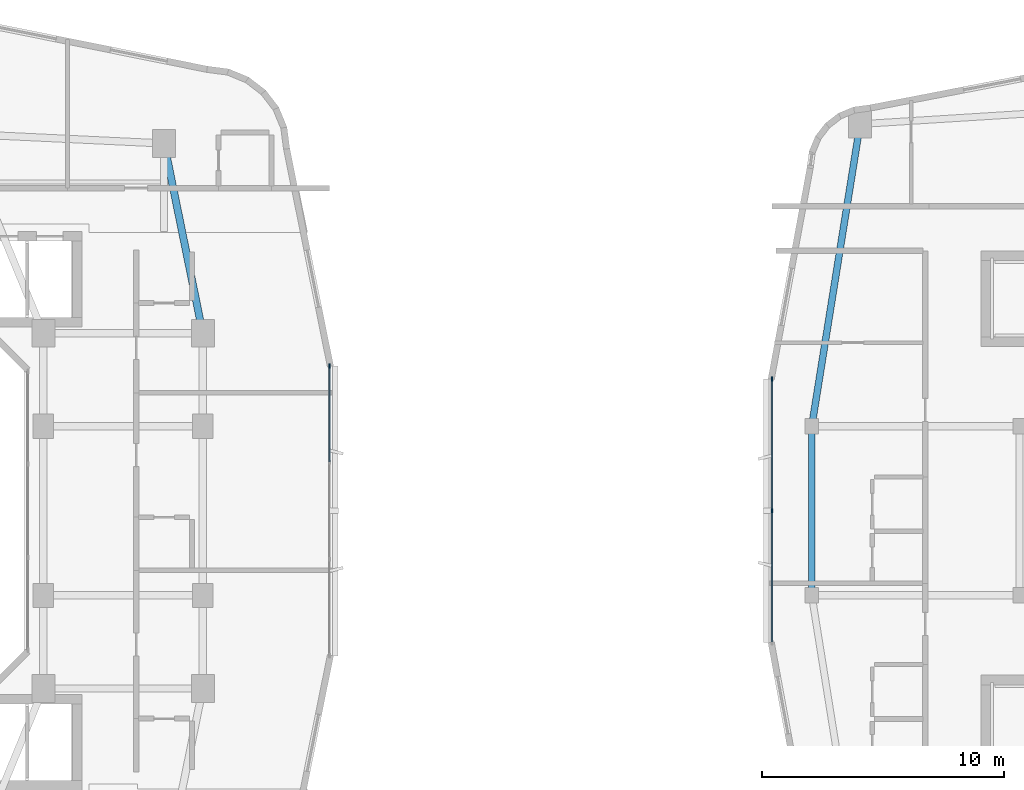
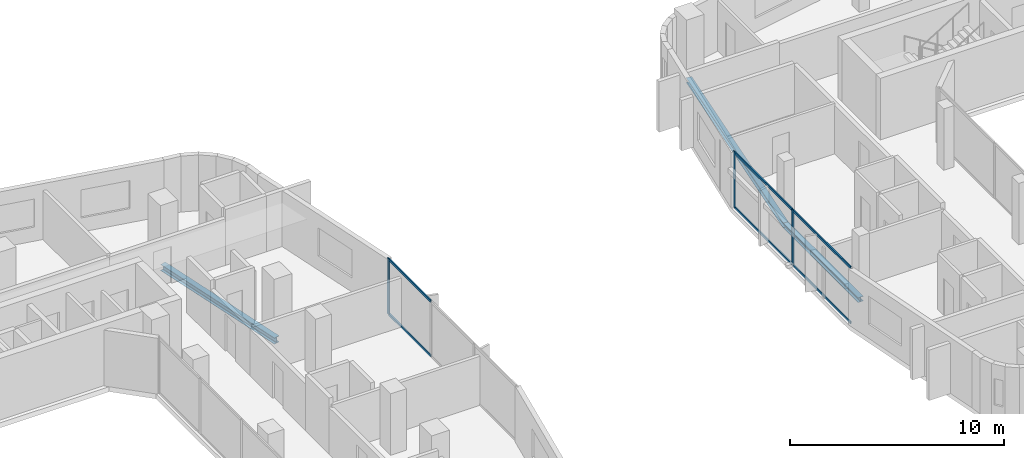
# One storey, part 6 of 26: 9 members, 3 beams, 2 elements without a shape of their own.
"""IFC4 building model written with IfcOpenShell, lengths in metres."""

from ifc_helpers import new_model, si_unit, derived_unit, direction, frame, origin, origin_2d, place, context, subcontext, project, spatial, rectangle, i_section, extrude, material, layer, layer_set, material_profile, profile_set, type_object, element, aggregate, save


model = new_model("IFC4")

# Units and contexts
model_context = context("Model", 3, precision=1e-05, world=origin(), true_north=direction((0.0, 1.0)))
body_context = subcontext(model_context, "Body", "Model", "MODEL_VIEW")
ifc_project = project(units=[si_unit("LENGTHUNIT", "METRE"), si_unit("AREAUNIT", "SQUARE_METRE"), si_unit("VOLUMEUNIT", "CUBIC_METRE"), si_unit("PLANEANGLEUNIT", "RADIAN"), si_unit("MASSUNIT", "GRAM", prefix="KILO"), derived_unit("THERMALTRANSMITTANCEUNIT", [(si_unit("POWERUNIT", "WATT"), 1), (si_unit("LENGTHUNIT", "METRE"), -2), (si_unit("THERMODYNAMICTEMPERATUREUNIT", "KELVIN"), -1)])], contexts=[model_context])

# Site, building, storey
site_placement = place(None, origin())
site = spatial("IfcSite", under=ifc_project, at=site_placement, CompositionType="ELEMENT")
building_placement = place(site_placement, origin())
building = spatial("IfcBuilding", under=site, at=building_placement, Name="Kivonza Crest Hotel", CompositionType="ELEMENT")
storey_placement = place(building_placement, frame((0.0, 0.0, 116.0)))
storey = spatial("IfcBuildingStorey", under=building, at=storey_placement, Name="L31", CompositionType="ELEMENT", Elevation=116.0)

# Beams
ifc_material_1 = material(Name="Steel S355", Category="steel")
ifc_material_profile_1 = material_profile(ifc_material_1, i_section(OverallWidth=0.280029296875, OverallDepth=0.280029296875, WebThickness=0.010498046875, FlangeThickness=0.01806640625, FilletRadius=0.02392578125, at=origin_2d()), Name="HEB 280")
ifc_profile_set_1 = profile_set([ifc_material_profile_1], Name="Steel S355")
beam_type_1 = type_object("IfcBeamType", Name="BM-HEB280", PredefinedType="SPANDREL", material=ifc_profile_set_1)
beam_1_placement = place(storey_placement, frame((63.0, 41.0, -0.389892578125), z_axis=(-0.157990501107, -0.987440631917, 0.0), x_axis=(0.987440631917, -0.157990501107, 0.0)))
element("IfcBeam", 1, at=beam_1_placement, inside=storey, type_object=beam_type_1, Name="Companion Tower T2 L31 perimeter spandrel NW-W2", PredefinedType="SPANDREL", context=body_context, shape_type="SweptSolid", body=[
    extrude(i_section(OverallWidth=0.280029296875, OverallDepth=0.280029296875, WebThickness=0.010498046875, FlangeThickness=0.01806640625, FilletRadius=0.02392578125, at=origin_2d()), origin(), (0.0, 0.0, 1.0), 12.658935546875),
])
beam_2_placement = place(storey_placement, frame((61.0, 28.5, -0.389892578125), z_axis=(0.0, -1.0, 0.0), x_axis=(1.0, 0.0, 0.0)))
element("IfcBeam", 2, at=beam_2_placement, inside=storey, type_object=beam_type_1, Name="Companion Tower T2 L31 perimeter spandrel W2-W1", PredefinedType="SPANDREL", context=body_context, shape_type="SweptSolid", body=[
    extrude(i_section(OverallWidth=0.280029296875, OverallDepth=0.280029296875, WebThickness=0.010498046875, FlangeThickness=0.01806640625, FilletRadius=0.02392578125, at=origin_2d()), origin(), (0.0, 0.0, 1.0), 7.0),
])
ifc_material_profile_2 = material_profile(ifc_material_1, i_section(OverallWidth=0.300048828125, OverallDepth=0.360107421875, WebThickness=0.012451171875, FlangeThickness=0.0224609375, FilletRadius=0.027099609375, at=origin_2d()), Name="HEB 360")
ifc_profile_set_2 = profile_set([ifc_material_profile_2], Name="Steel S355")
beam_type_2 = type_object("IfcBeamType", Name="BM-HEB360", PredefinedType="SPANDREL", material=ifc_profile_set_2)
beam_3_placement = place(storey_placement, frame((35.800048828125, 32.35009765625, -0.4599609375), z_axis=(-0.199730733965, 0.979850822273, 0.0), x_axis=(-0.979850822273, -0.199730733965, 0.0)))
element("IfcBeam", 3, at=beam_3_placement, inside=storey, type_object=beam_type_2, Name="Tower T1 L31 perimeter spandrel PNE-NE", PredefinedType="SPANDREL", context=body_context, shape_type="SweptSolid", body=[
    extrude(i_section(OverallWidth=0.300048828125, OverallDepth=0.360107421875, WebThickness=0.012451171875, FlangeThickness=0.0224609375, FilletRadius=0.027099609375, at=origin_2d()), origin(), (0.0, 0.0, 1.0), 8.01123046875),
])

# Curtain wall, member
ifc_material_2 = material(Name="Anodised bronze aluminium and low-E double glazing", Category="aluminium")
ifc_layer_1 = layer(ifc_material_2, 0.179931640625)
ifc_layer_set_1 = layer_set([ifc_layer_1], Name="Anodised bronze aluminium and low-E double glazing")
curtain_wall_type_1 = type_object("IfcCurtainWallType", Name="CW-SYS-2", PredefinedType="NOTDEFINED", material=ifc_layer_set_1)
curtain_wall_1_placement = place(storey_placement, origin())
curtain_wall_1 = element("IfcCurtainWall", 4, at=curtain_wall_1_placement, inside=storey, type_object=curtain_wall_type_1, Name="L31 unitised curtain wall CW-T1-L31-17", PredefinedType="NOTDEFINED")
ifc_material_3 = material(Name="Anodised bronze aluminium", Category="aluminium")
ifc_material_profile_3 = material_profile(ifc_material_3, rectangle(XDim=0.06494140625, YDim=0.179931640625, at=origin_2d()), Name="CW-M 65x180")
ifc_profile_set_3 = profile_set([ifc_material_profile_3], Name="Anodised bronze aluminium")
member_type_1 = type_object("IfcMemberType", Name="CW-MUL-65x180", PredefinedType="MULLION", material=ifc_profile_set_3)
member_1_placement = place(storey_placement, frame((41.0400390625, 30.987548828125, 0.0), z_axis=(0.0, 0.0, 1.0), x_axis=(-1.0, 0.0, 0.0)))
member_1 = element("IfcMember", 5, at=member_1_placement, type_object=member_type_1, Name="CW-2 mullion 4", PredefinedType="MULLION", context=body_context, shape_type="SweptSolid", body=[
    extrude(rectangle(XDim=0.06494140625, YDim=0.179931640625, at=origin_2d()), origin(), (0.0, 0.0, 1.0), 3.179931640625),
])

# Curtain wall, members
ifc_layer_2 = layer(ifc_material_2, 0.179931640625)
ifc_layer_set_2 = layer_set([ifc_layer_2], Name="Anodised bronze aluminium and low-E double glazing")
curtain_wall_type_2 = type_object("IfcCurtainWallType", Name="CW-SYS-4", PredefinedType="NOTDEFINED", material=ifc_layer_set_2)
curtain_wall_2_placement = place(storey_placement, origin())
curtain_wall_2 = element("IfcCurtainWall", 6, at=curtain_wall_2_placement, inside=storey, type_object=curtain_wall_type_2, Name="L31 unitised curtain wall CW-T2-L31-35", PredefinedType="NOTDEFINED")
member_2_placement = place(storey_placement, frame((59.360107421875, 30.447509765625, 0.0), z_axis=(0.0, 0.0, 1.0), x_axis=(1.0, 0.0, 0.0)))
member_2 = element("IfcMember", 7, at=member_2_placement, type_object=member_type_1, Name="CW-4 mullion 1", PredefinedType="MULLION", context=body_context, shape_type="SweptSolid", body=[
    extrude(rectangle(XDim=0.06494140625, YDim=0.179931640625, at=origin_2d()), origin(), (0.0, 0.0, 1.0), 3.179931640625),
])
member_3_placement = place(storey_placement, frame((59.360107421875, 25.0, 0.0), z_axis=(0.0, 0.0, 1.0), x_axis=(1.0, 0.0, 0.0)))
member_3 = element("IfcMember", 8, at=member_3_placement, type_object=member_type_1, Name="CW-4 mullion 2", PredefinedType="MULLION", context=body_context, shape_type="SweptSolid", body=[
    extrude(rectangle(XDim=0.06494140625, YDim=0.179931640625, at=origin_2d()), origin(), (0.0, 0.0, 1.0), 3.179931640625),
])

# Member
ifc_material_profile_4 = material_profile(ifc_material_3, rectangle(XDim=0.06494140625, YDim=0.139892578125, at=origin_2d()), Name="CW-T 65x140")
ifc_profile_set_4 = profile_set([ifc_material_profile_4], Name="Anodised bronze aluminium")
member_type_2 = type_object("IfcMemberType", Name="CW-TRN-65x140", PredefinedType="USERDEFINED", material=ifc_profile_set_4)
member_4_placement = place(storey_placement, frame((41.0400390625, 27.0390625, 0.032470703125), z_axis=(0.0, 1.0, 0.0), x_axis=(-1.0, 0.0, 0.0)))
member_4 = element("IfcMember", 9, at=member_4_placement, type_object=member_type_2, Name="CW-2 transom 3.1", ObjectType="TRANSOM", PredefinedType="USERDEFINED", context=body_context, shape_type="SweptSolid", body=[
    extrude(rectangle(XDim=0.06494140625, YDim=0.139892578125, at=origin_2d()), origin(), (0.0, 0.0, 1.0), 3.916015625),
])

member_5_placement = place(storey_placement, frame((41.0400390625, 27.0390625, 3.1474609375), z_axis=(0.0, 1.0, 0.0), x_axis=(-1.0, 0.0, 0.0)))
member_5 = element("IfcMember", 10, at=member_5_placement, type_object=member_type_2, Name="CW-2 transom 3.2", ObjectType="TRANSOM", PredefinedType="USERDEFINED", context=body_context, shape_type="SweptSolid", body=[
    extrude(rectangle(XDim=0.06494140625, YDim=0.139892578125, at=origin_2d()), origin(), (0.0, 0.0, 1.0), 3.916015625),
])

aggregate(curtain_wall_1, [member_1, member_4, member_5])

member_6_placement = place(storey_placement, frame((59.360107421875, 30.4150390625, 0.032470703125), z_axis=(0.0, -1.0, 0.0), x_axis=(1.0, 0.0, 0.0)))
member_6 = element("IfcMember", 11, at=member_6_placement, type_object=member_type_2, Name="CW-4 transom 1.1", ObjectType="TRANSOM", PredefinedType="USERDEFINED", context=body_context, shape_type="SweptSolid", body=[
    extrude(rectangle(XDim=0.06494140625, YDim=0.139892578125, at=origin_2d()), origin(), (0.0, 0.0, 1.0), 5.382568359375),
])

member_7_placement = place(storey_placement, frame((59.360107421875, 30.4150390625, 3.1474609375), z_axis=(0.0, -1.0, 0.0), x_axis=(1.0, 0.0, 0.0)))
member_7 = element("IfcMember", 12, at=member_7_placement, type_object=member_type_2, Name="CW-4 transom 1.2", ObjectType="TRANSOM", PredefinedType="USERDEFINED", context=body_context, shape_type="SweptSolid", body=[
    extrude(rectangle(XDim=0.06494140625, YDim=0.139892578125, at=origin_2d()), origin(), (0.0, 0.0, 1.0), 5.382568359375),
])

member_8_placement = place(storey_placement, frame((59.360107421875, 24.967529296875, 0.032470703125), z_axis=(0.0, -1.0, 0.0), x_axis=(1.0, 0.0, 0.0)))
member_8 = element("IfcMember", 13, at=member_8_placement, type_object=member_type_2, Name="CW-4 transom 2.1", ObjectType="TRANSOM", PredefinedType="USERDEFINED", context=body_context, shape_type="SweptSolid", body=[
    extrude(rectangle(XDim=0.06494140625, YDim=0.139892578125, at=origin_2d()), origin(), (0.0, 0.0, 1.0), 5.382568359375),
])

member_9_placement = place(storey_placement, frame((59.360107421875, 24.967529296875, 3.1474609375), z_axis=(0.0, -1.0, 0.0), x_axis=(1.0, 0.0, 0.0)))
member_9 = element("IfcMember", 14, at=member_9_placement, type_object=member_type_2, Name="CW-4 transom 2.2", ObjectType="TRANSOM", PredefinedType="USERDEFINED", context=body_context, shape_type="SweptSolid", body=[
    extrude(rectangle(XDim=0.06494140625, YDim=0.139892578125, at=origin_2d()), origin(), (0.0, 0.0, 1.0), 5.382568359375),
])

aggregate(curtain_wall_2, [member_2, member_3, member_6, member_7, member_8, member_9])

save(model, "model.ifc")
